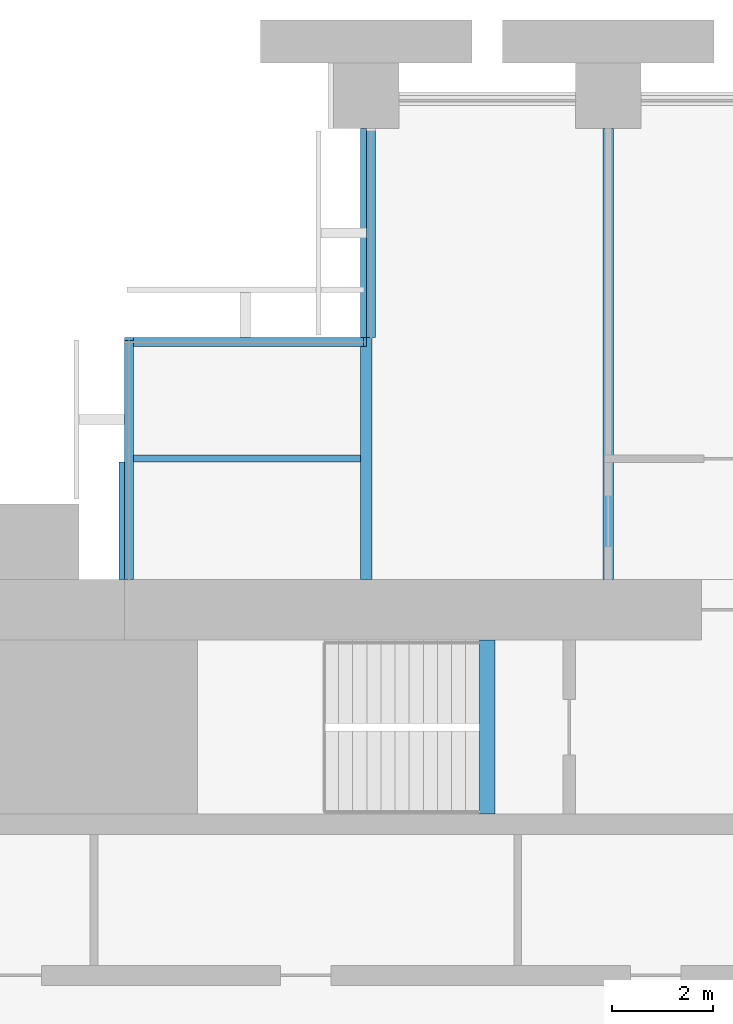
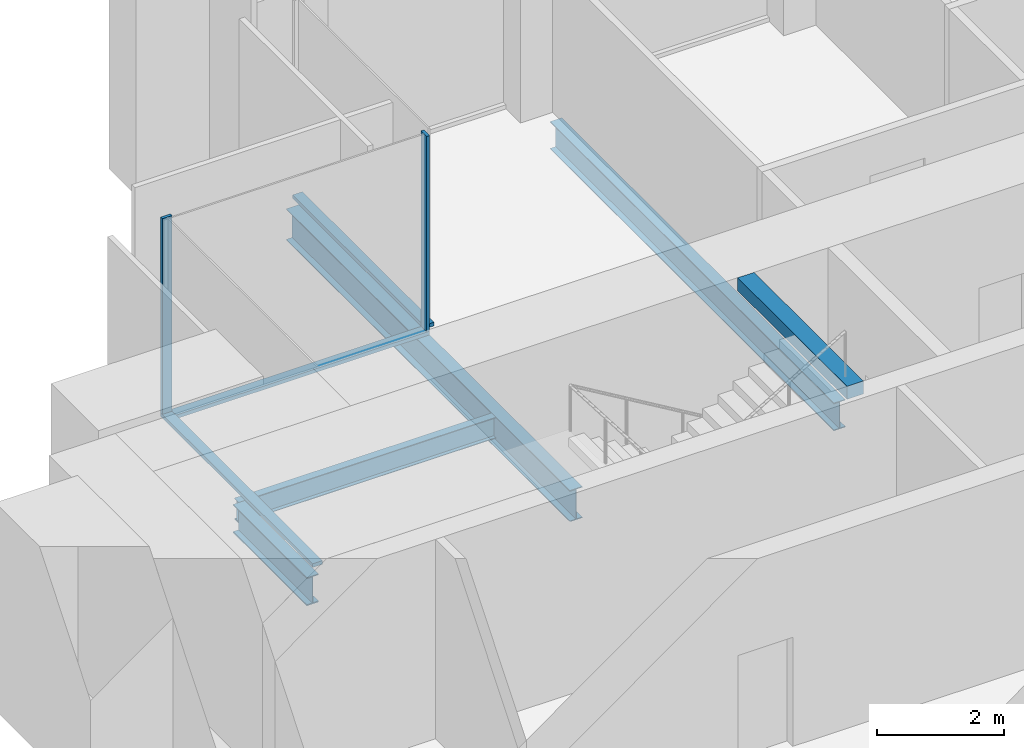
# One storey, part 5 of 14: 5 beams, 5 members, 3 elements without a shape of their own.
"""IFC4 building model written with IfcOpenShell, lengths in metres."""

from ifc_helpers import new_model, si_unit, direction, frame, origin, origin_2d, place, context, subcontext, project, spatial, rectangle, i_section, extrude, material, material_profile, profile_set, type_object, element, aggregate, save


model = new_model("IFC4")

# Units and contexts
model_context = context("Model", 3, precision=1e-05, world=origin(), true_north=direction((0.0, 1.0)))
body_context = subcontext(model_context, "Body", "Model", "MODEL_VIEW")
ifc_project = project(units=[si_unit("LENGTHUNIT", "METRE"), si_unit("AREAUNIT", "SQUARE_METRE"), si_unit("VOLUMEUNIT", "CUBIC_METRE"), si_unit("PLANEANGLEUNIT", "RADIAN"), si_unit("MASSUNIT", "GRAM", prefix="KILO")], contexts=[model_context])

# Site, building, storey
site_placement = place(None, origin())
site = spatial("IfcSite", under=ifc_project, at=site_placement, CompositionType="ELEMENT")
building_placement = place(site_placement, origin())
building = spatial("IfcBuilding", under=site, at=building_placement, Name="Baori Bourse Tower", CompositionType="ELEMENT")
storey_placement = place(building_placement, frame((0.0, 0.0, 75.0)))
storey = spatial("IfcBuildingStorey", under=building, at=storey_placement, Name="L16", CompositionType="ELEMENT", Elevation=75.0)

# Curtain wall, member
ifc_material_1 = material(Name="Pale anodised aluminium", Category="aluminium")
curtain_wall_type = type_object("IfcCurtainWallType", Name="CW2 Curtain wall", PredefinedType="NOTDEFINED", material=ifc_material_1)
curtain_wall_1_placement = place(storey_placement, origin())
curtain_wall_1 = element("IfcCurtainWall", 1, at=curtain_wall_1_placement, inside=storey, type_object=curtain_wall_type, Name="Curtain wall CW2 L16 6", PredefinedType="NOTDEFINED")
ifc_material_2 = material(Name="Pale anodised aluminium", Category="aluminium")
ifc_material_profile_1 = material_profile(ifc_material_2, rectangle(XDim=0.179931640625, YDim=0.054931640625, at=origin_2d()), Name="Mullion 55x180")
ifc_profile_set_1 = profile_set([ifc_material_profile_1], Name="Pale anodised aluminium")
member_type_1 = type_object("IfcMemberType", Name="CW2 Curtain wall mullion", PredefinedType="MULLION", material=ifc_profile_set_1)
member_1_placement = place(storey_placement, frame((9.572509765625, 43.110107421875, 0.070068359375), z_axis=(0.0, 0.0, 1.0), x_axis=(0.0, -1.0, 0.0)))
member_1 = element("IfcMember", 2, at=member_1_placement, type_object=member_type_1, Name="Curtain wall CW2 mullion", PredefinedType="MULLION", context=body_context, shape_type="SweptSolid", body=[
    extrude(rectangle(XDim=0.179931640625, YDim=0.054931640625, at=origin_2d()), origin(), (0.0, 0.0, 1.0), 3.77001953125),
])

curtain_wall_2_placement = place(storey_placement, origin())
curtain_wall_2 = element("IfcCurtainWall", 3, at=curtain_wall_2_placement, inside=storey, type_object=curtain_wall_type, Name="Curtain wall CW2 L16 7", PredefinedType="NOTDEFINED")
member_2_placement = place(storey_placement, frame((4.889892578125, 43.172607421875, 0.070068359375), z_axis=(0.0, 0.0, 1.0), x_axis=(1.0, 0.0, 0.0)))
member_2 = element("IfcMember", 4, at=member_2_placement, type_object=member_type_1, Name="Curtain wall CW2 mullion", PredefinedType="MULLION", context=body_context, shape_type="SweptSolid", body=[
    extrude(rectangle(XDim=0.179931640625, YDim=0.054931640625, at=origin_2d()), origin(), (0.0, 0.0, 1.0), 3.77001953125),
])

curtain_wall_3_placement = place(storey_placement, origin())
curtain_wall_3 = element("IfcCurtainWall", 5, at=curtain_wall_3_placement, inside=storey, type_object=curtain_wall_type, Name="Curtain wall CW2 L16 5", PredefinedType="NOTDEFINED")
ifc_material_3 = material(Name="Pale anodised aluminium", Category="aluminium")
ifc_material_profile_2 = material_profile(ifc_material_3, rectangle(XDim=0.179931640625, YDim=0.070068359375, at=origin_2d()), Name="Transom 70x180")
ifc_profile_set_2 = profile_set([ifc_material_profile_2], Name="Pale anodised aluminium")
member_type_2 = type_object("IfcMemberType", Name="CW2 Curtain wall transom", PredefinedType="USERDEFINED", material=ifc_profile_set_2)
member_3_placement = place(storey_placement, frame((9.68994140625, 47.35009765625, 0.034912109375), z_axis=(0.0, -1.0, 0.0), x_axis=(1.0, 0.0, 0.0)))
member_3 = element("IfcMember", 6, at=member_3_placement, type_object=member_type_2, Name="Curtain wall CW2 sill rail", ObjectType="TRANSOM", PredefinedType="USERDEFINED", context=body_context, shape_type="SweptSolid", body=[
    extrude(rectangle(XDim=0.179931640625, YDim=0.070068359375, at=origin_2d()), origin(), (0.0, 0.0, 1.0), 4.150146484375),
])
aggregate(curtain_wall_3, [member_3])

# Member
member_4_placement = place(storey_placement, frame((9.60009765625, 43.110107421875, 0.034912109375), z_axis=(-1.0, 0.0, 0.0), x_axis=(0.0, -1.0, 0.0)))
member_4 = element("IfcMember", 7, at=member_4_placement, type_object=member_type_2, Name="Curtain wall CW2 sill rail", ObjectType="TRANSOM", PredefinedType="USERDEFINED", context=body_context, shape_type="SweptSolid", body=[
    extrude(rectangle(XDim=0.179931640625, YDim=0.070068359375, at=origin_2d()), origin(), (0.0, 0.0, 1.0), 4.800048828125),
])

aggregate(curtain_wall_1, [member_4, member_1])

member_5_placement = place(storey_placement, frame((4.889892578125, 43.199951171875, 0.034912109375), z_axis=(0.0, -1.0, 0.0), x_axis=(1.0, 0.0, 0.0)))
member_5 = element("IfcMember", 8, at=member_5_placement, type_object=member_type_2, Name="Curtain wall CW2 sill rail", ObjectType="TRANSOM", PredefinedType="USERDEFINED", context=body_context, shape_type="SweptSolid", body=[
    extrude(rectangle(XDim=0.179931640625, YDim=0.070068359375, at=origin_2d()), origin(), (0.0, 0.0, 1.0), 4.800048828125),
])

aggregate(curtain_wall_2, [member_5, member_2])

# Beams
ifc_material_4 = material(Name="Steel A992 Gr 50", Category="steel")
ifc_material_profile_3 = material_profile(ifc_material_4, i_section(OverallWidth=0.21240234375, OverallDepth=0.54345703125, WebThickness=0.01318359375, FlangeThickness=0.021240234375, at=origin_2d()), Name="W21x83")
ifc_profile_set_3 = profile_set([ifc_material_profile_3], Name="Steel A992 Gr 50")
beam_type_1 = type_object("IfcBeamType", Name="Core bracket W21x83", PredefinedType="BEAM", material=ifc_profile_set_3)
beam_1_placement = place(storey_placement, frame((4.800048828125, 38.39990234375, -0.431884765625), z_axis=(0.0, 1.0, 0.0), x_axis=(-1.0, 0.0, 0.0)))
element("IfcBeam", 9, at=beam_1_placement, inside=storey, type_object=beam_type_1, Name="Core bracket L16", PredefinedType="BEAM", context=body_context, shape_type="SweptSolid", body=[
    extrude(i_section(OverallWidth=0.21240234375, OverallDepth=0.54345703125, WebThickness=0.01318359375, FlangeThickness=0.021240234375, at=origin_2d()), origin(), (0.0, 0.0, 1.0), 2.329833984375),
])
ifc_material_5 = material(Name="Steel A992 Gr 50", Category="steel")
ifc_material_profile_4 = material_profile(ifc_material_5, i_section(OverallWidth=0.209228515625, OverallDepth=0.533447265625, WebThickness=0.01025390625, FlangeThickness=0.015625, at=origin_2d()), Name="W21x62")
ifc_profile_set_4 = profile_set([ifc_material_profile_4], Name="Steel A992 Gr 50")
beam_type_2 = type_object("IfcBeamType", Name="Floor beam W21x62", PredefinedType="BEAM", material=ifc_profile_set_4)
beam_2_placement = place(storey_placement, frame((14.39990234375, 38.39990234375, -0.4267578125), z_axis=(0.0, 1.0, 0.0), x_axis=(-1.0, 0.0, 0.0)))
element("IfcBeam", 10, at=beam_2_placement, inside=storey, type_object=beam_type_2, Name="Floor beam L16", PredefinedType="BEAM", context=body_context, shape_type="SweptSolid", body=[
    extrude(i_section(OverallWidth=0.209228515625, OverallDepth=0.533447265625, WebThickness=0.01025390625, FlangeThickness=0.015625, at=origin_2d()), origin(), (0.0, 0.0, 1.0), 8.9501953125),
])
ifc_material_6 = material(Name="Steel A992 Gr 50", Category="steel")
ifc_material_profile_5 = material_profile(ifc_material_6, i_section(OverallWidth=0.227783203125, OverallDepth=0.60205078125, WebThickness=0.010498046875, FlangeThickness=0.014892578125, at=origin_2d()), Name="W24x68")
ifc_profile_set_5 = profile_set([ifc_material_profile_5], Name="Steel A992 Gr 50")
beam_type_3 = type_object("IfcBeamType", Name="Floor beam W24x68", PredefinedType="BEAM", material=ifc_profile_set_5)
beam_3_placement = place(storey_placement, frame((9.60009765625, 38.39990234375, -0.4609375), z_axis=(0.0, 1.0, 0.0), x_axis=(-1.0, 0.0, 0.0)))
element("IfcBeam", 11, at=beam_3_placement, inside=storey, type_object=beam_type_3, Name="Floor beam L16", PredefinedType="BEAM", context=body_context, shape_type="SweptSolid", body=[
    extrude(i_section(OverallWidth=0.227783203125, OverallDepth=0.60205078125, WebThickness=0.010498046875, FlangeThickness=0.014892578125, at=origin_2d()), origin(), (0.0, 0.0, 1.0), 8.9501953125),
])
ifc_material_7 = material(Name="Concrete f'c 50 MPa", Category="concrete")
ifc_material_profile_6 = material_profile(ifc_material_7, rectangle(XDim=0.300048828125, YDim=0.25, at=origin_2d()), Name="RC 300x250")
ifc_profile_set_6 = profile_set([ifc_material_profile_6], Name="Concrete f'c 50 MPa")
beam_type_4 = type_object("IfcBeamType", Name="Stair nib beam RC 300x250", PredefinedType="BEAM", material=ifc_profile_set_6)
beam_4_placement = place(storey_placement, frame((12.0, 33.75, 3.715087890625), z_axis=(0.0, 1.0, 0.0), x_axis=(-1.0, 0.0, 0.0)))
element("IfcBeam", 12, at=beam_4_placement, inside=storey, type_object=beam_type_4, Name="Stair WB nib beam L17", PredefinedType="BEAM", context=body_context, shape_type="SweptSolid", body=[
    extrude(rectangle(XDim=0.300048828125, YDim=0.25, at=origin_2d()), origin(), (0.0, 0.0, 1.0), 3.449951171875),
])
ifc_material_8 = material(Name="Steel A992 Gr 50", Category="steel")
ifc_material_profile_7 = material_profile(ifc_material_8, i_section(OverallWidth=0.140380859375, OverallDepth=0.40380859375, WebThickness=0.007080078125, FlangeThickness=0.01123046875, at=origin_2d()), Name="W16x31")
ifc_profile_set_7 = profile_set([ifc_material_profile_7], Name="Steel A992 Gr 50")
beam_type_5 = type_object("IfcBeamType", Name="Trimmer beam W16x31", PredefinedType="BEAM", material=ifc_profile_set_7)
beam_5_placement = place(storey_placement, frame((4.800048828125, 40.800048828125, -0.36181640625), z_axis=(1.0, 0.0, 0.0), x_axis=(0.0, 1.0, 0.0)))
element("IfcBeam", 13, at=beam_5_placement, inside=storey, type_object=beam_type_5, Name="Trimmer beam L16", PredefinedType="BEAM", context=body_context, shape_type="SweptSolid", body=[
    extrude(i_section(OverallWidth=0.140380859375, OverallDepth=0.40380859375, WebThickness=0.007080078125, FlangeThickness=0.01123046875, at=origin_2d()), origin(), (0.0, 0.0, 1.0), 4.68603515625),
])

save(model, "model.ifc")
